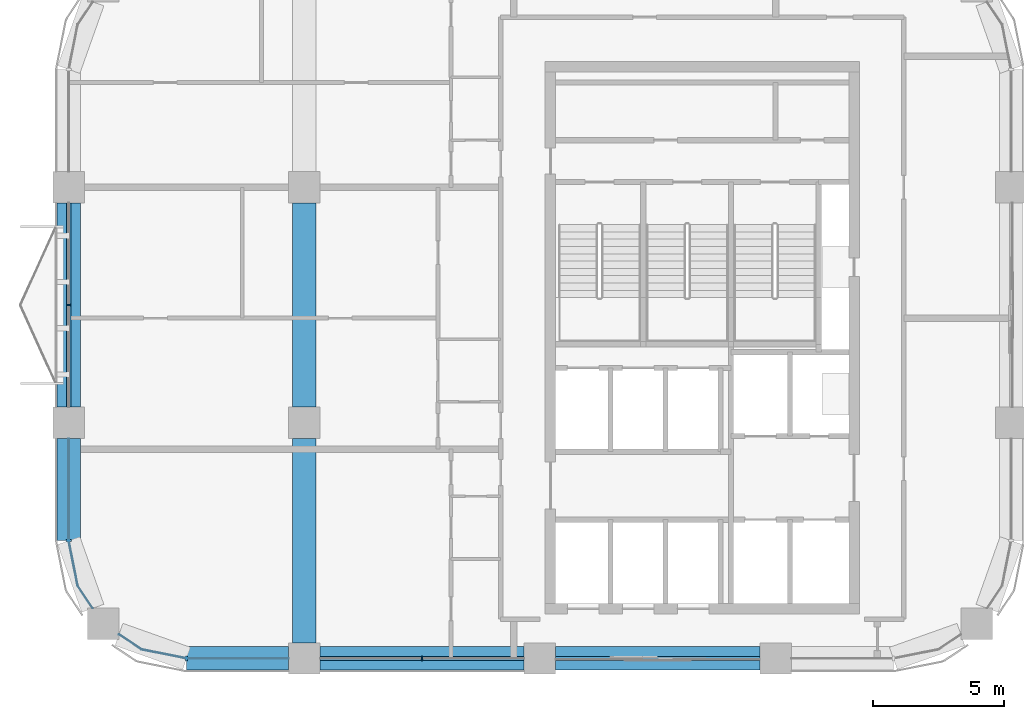
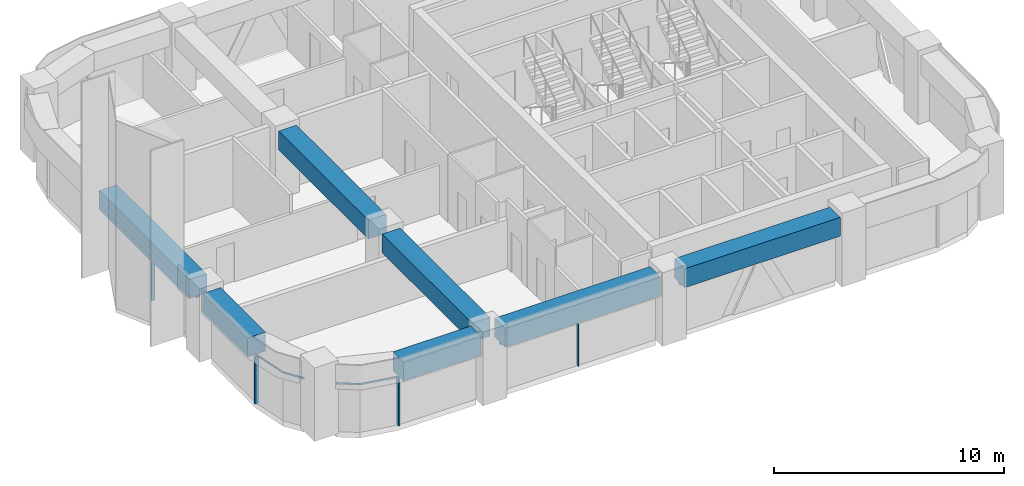
# One storey, part 2 of 10: 9 members, 7 beams, 5 elements without a shape of their own.
"""IFC4 building model written with IfcOpenShell, lengths in metres."""

from ifc_helpers import new_model, si_unit, direction, frame, origin, origin_2d, place, context, subcontext, project, spatial, polyline, rectangle, outline, extrude, material, material_profile, profile_set, type_object, element, aggregate, save


model = new_model("IFC4")

# Units and contexts
model_context = context("Model", 3, precision=1e-05, world=origin(), true_north=direction((0.0, 1.0)))
body_context = subcontext(model_context, "Body", "Model", "MODEL_VIEW")
ifc_project = project(units=[si_unit("LENGTHUNIT", "METRE"), si_unit("AREAUNIT", "SQUARE_METRE"), si_unit("VOLUMEUNIT", "CUBIC_METRE"), si_unit("PLANEANGLEUNIT", "RADIAN"), si_unit("MASSUNIT", "GRAM", prefix="KILO")], contexts=[model_context])

# Site, building, storey
site_placement = place(None, origin())
site = spatial("IfcSite", under=ifc_project, at=site_placement, CompositionType="ELEMENT")
building_placement = place(site_placement, origin())
building = spatial("IfcBuilding", under=site, at=building_placement, Name="Tessera Arch", CompositionType="ELEMENT")
storey_placement = place(building_placement, frame((0.0, 0.0, 238.39990234375)))
storey = spatial("IfcBuildingStorey", under=building, at=storey_placement, Name="L57", CompositionType="ELEMENT", Elevation=238.39990234375)

# Curtain wall, member
ifc_material_1 = material(Name="CW1 curtain wall")
curtain_wall_type_1 = type_object("IfcCurtainWallType", Name="CW1 curtain wall", PredefinedType="NOTDEFINED", material=ifc_material_1)
curtain_wall_1_placement = place(storey_placement, origin())
curtain_wall_1 = element("IfcCurtainWall", 1, at=curtain_wall_1_placement, inside=storey, type_object=curtain_wall_type_1, Name="CW1 curtain wall W18.27/1 L57", PredefinedType="NOTDEFINED")
ifc_material_2 = material(Name="Anodised aluminium pale metal", Category="aluminium")
ifc_material_profile_1 = material_profile(ifc_material_2, rectangle(XDim=0.159912109375, YDim=0.06005859375, at=origin_2d()), Name="AL 60x160")
ifc_profile_set_1 = profile_set([ifc_material_profile_1], Name="Anodised aluminium pale metal")
member_type_1 = type_object("IfcMemberType", Name="CW1 mullion", PredefinedType="MULLION", material=ifc_profile_set_1)
member_1_placement = place(storey_placement, frame((18.0, 40.5, 0.0), z_axis=(0.0, 0.0, 1.0), x_axis=(1.0, 0.0, 0.0)))
member_1 = element("IfcMember", 2, at=member_1_placement, type_object=member_type_1, Name="CW1 mullion W18.27/1 1", PredefinedType="MULLION", context=body_context, shape_type="SweptSolid", body=[
    extrude(rectangle(XDim=0.159912109375, YDim=0.06005859375, at=origin_2d()), origin(), (0.0, 0.0, 1.0), 2.5),
])

curtain_wall_2_placement = place(storey_placement, origin())
curtain_wall_2 = element("IfcCurtainWall", 3, at=curtain_wall_2_placement, inside=storey, type_object=curtain_wall_type_1, Name="CW1 curtain wall S27.18/1 L57", PredefinedType="NOTDEFINED")
member_2_placement = place(storey_placement, frame((31.5, 27.0, 0.0), z_axis=(0.0, 0.0, 1.0), x_axis=(0.0, 1.0, 0.0)))
member_2 = element("IfcMember", 4, at=member_2_placement, type_object=member_type_1, Name="CW1 mullion S27.18/1 1", PredefinedType="MULLION", context=body_context, shape_type="SweptSolid", body=[
    extrude(rectangle(XDim=0.159912109375, YDim=0.06005859375, at=origin_2d()), origin(), (0.0, 0.0, 1.0), 2.5),
])

# Member
ifc_material_3 = material(Name="Anodised aluminium pale metal", Category="aluminium")
ifc_material_profile_2 = material_profile(ifc_material_3, rectangle(XDim=0.159912109375, YDim=0.10009765625, at=origin_2d()), Name="AL 160x100")
ifc_profile_set_2 = profile_set([ifc_material_profile_2], Name="Anodised aluminium pale metal")
member_type_2 = type_object("IfcMemberType", Name="CW1 transom", PredefinedType="USERDEFINED", material=ifc_profile_set_2)
member_3_placement = place(storey_placement, frame((18.0, 44.39990234375, 2.550048828125), z_axis=(0.0, -1.0, 0.0), x_axis=(1.0, 0.0, 0.0)))
member_3 = element("IfcMember", 5, at=member_3_placement, type_object=member_type_2, Name="CW1 transom W18.27/1 1.1", ObjectType="TRANSOM", PredefinedType="USERDEFINED", context=body_context, shape_type="SweptSolid", body=[
    extrude(rectangle(XDim=0.159912109375, YDim=0.10009765625, at=origin_2d()), origin(), (0.0, 0.0, 1.0), 7.7998046875),
])

aggregate(curtain_wall_1, [member_1, member_3])

member_4_placement = place(storey_placement, frame((27.60009765625, 27.0, 2.550048828125), z_axis=(1.0, 0.0, 0.0), x_axis=(0.0, 1.0, 0.0)))
member_4 = element("IfcMember", 6, at=member_4_placement, type_object=member_type_2, Name="CW1 transom S27.18/1 1.1", ObjectType="TRANSOM", PredefinedType="USERDEFINED", context=body_context, shape_type="SweptSolid", body=[
    extrude(rectangle(XDim=0.159912109375, YDim=0.10009765625, at=origin_2d()), origin(), (0.0, 0.0, 1.0), 7.7998046875),
])

aggregate(curtain_wall_2, [member_2, member_4])

# Curtain wall, member
ifc_material_4 = material(Name="CW2 curtain wall")
curtain_wall_type_2 = type_object("IfcCurtainWallType", Name="CW2 curtain wall", PredefinedType="NOTDEFINED", material=ifc_material_4)
curtain_wall_3_placement = place(storey_placement, origin())
curtain_wall_3 = element("IfcCurtainWall", 7, at=curtain_wall_3_placement, inside=storey, type_object=curtain_wall_type_2, Name="CW2 curtain wall W18.27/2 L57", PredefinedType="NOTDEFINED")
ifc_material_5 = material(Name="Anodised aluminium pale metal", Category="aluminium")
ifc_material_profile_3 = material_profile(ifc_material_5, rectangle(XDim=0.199951171875, YDim=0.080078125, at=origin_2d()), Name="AL 80x200")
ifc_profile_set_3 = profile_set([ifc_material_profile_3], Name="Anodised aluminium pale metal")
member_type_3 = type_object("IfcMemberType", Name="CW2 mullion", PredefinedType="MULLION", material=ifc_profile_set_3)
member_5_placement = place(storey_placement, frame((18.0, 31.5, 0.0), z_axis=(0.0, 0.0, 1.0), x_axis=(1.0, 0.0, 0.0)))
member_5 = element("IfcMember", 8, at=member_5_placement, type_object=member_type_3, Name="CW2 mullion W18.27/2 1", PredefinedType="MULLION", context=body_context, shape_type="SweptSolid", body=[
    extrude(rectangle(XDim=0.199951171875, YDim=0.080078125, at=origin_2d()), origin(), (0.0, 0.0, 1.0), 2.5),
])

curtain_wall_4_placement = place(storey_placement, origin())
curtain_wall_4 = element("IfcCurtainWall", 9, at=curtain_wall_4_placement, inside=storey, type_object=curtain_wall_type_2, Name="CW2 curtain wall S27.18/0 L57", PredefinedType="NOTDEFINED")
member_6_placement = place(storey_placement, frame((22.5, 27.0, 0.0), z_axis=(0.0, 0.0, 1.0), x_axis=(0.0, 1.0, 0.0)))
member_6 = element("IfcMember", 10, at=member_6_placement, type_object=member_type_3, Name="CW2 mullion S27.18/0 1", PredefinedType="MULLION", context=body_context, shape_type="SweptSolid", body=[
    extrude(rectangle(XDim=0.199951171875, YDim=0.080078125, at=origin_2d()), origin(), (0.0, 0.0, 1.0), 2.5),
])

# Member
ifc_material_6 = material(Name="Anodised aluminium pale metal", Category="aluminium")
ifc_material_profile_4 = material_profile(ifc_material_6, rectangle(XDim=0.199951171875, YDim=0.10009765625, at=origin_2d()), Name="AL 200x100")
ifc_profile_set_4 = profile_set([ifc_material_profile_4], Name="Anodised aluminium pale metal")
member_type_4 = type_object("IfcMemberType", Name="CW2 transom", PredefinedType="USERDEFINED", material=ifc_profile_set_4)
member_7_placement = place(storey_placement, frame((0.0, 0.0, 2.5)))
member_7 = element("IfcMember", 11, at=member_7_placement, type_object=member_type_4, Name="CW2 transom W18.27/2 1", ObjectType="TRANSOM", PredefinedType="USERDEFINED", context=body_context, shape_type="SweptSolid", body=[
    extrude(outline(polyline([(18.010009765625, 31.5009765625), (18.010009765625, 35.39990234375), (17.989990234375, 35.39990234375), (17.989990234375, 31.4990234375), (18.3330078125, 29.77392578125), (18.90869140625, 28.912353515625), (18.92529296875, 28.923583984375), (18.351806640625, 29.78173828125), (18.010009765625, 31.5009765625)])), origin(), (0.0, 0.0, 1.0), 0.10009765625),
])

aggregate(curtain_wall_3, [member_5, member_7])

member_8_placement = place(storey_placement, frame((0.0, 0.0, 2.5)))
member_8 = element("IfcMember", 12, at=member_8_placement, type_object=member_type_4, Name="CW2 transom S27.18/0 1", ObjectType="TRANSOM", PredefinedType="USERDEFINED", context=body_context, shape_type="SweptSolid", body=[
    extrude(outline(polyline([(20.78173828125, 27.351806640625), (19.923583984375, 27.92529296875), (19.912353515625, 27.90869140625), (20.77392578125, 27.3330078125), (22.4990234375, 26.989990234375), (26.39990234375, 26.989990234375), (26.39990234375, 27.010009765625), (22.5009765625, 27.010009765625), (20.78173828125, 27.351806640625)])), origin(), (0.0, 0.0, 1.0), 0.10009765625),
])

aggregate(curtain_wall_4, [member_6, member_8])

# Curtain wall, member
ifc_material_7 = material(Name="CW3 curtain wall")
curtain_wall_type_3 = type_object("IfcCurtainWallType", Name="CW3 curtain wall", PredefinedType="NOTDEFINED", material=ifc_material_7)
curtain_wall_5_placement = place(storey_placement, origin())
curtain_wall_5 = element("IfcCurtainWall", 13, at=curtain_wall_5_placement, inside=storey, type_object=curtain_wall_type_3, Name="CW3 curtain wall S27.18/2 L57", PredefinedType="NOTDEFINED")
ifc_material_8 = material(Name="Anodised aluminium pale metal", Category="aluminium")
ifc_material_profile_5 = material_profile(ifc_material_8, rectangle(XDim=0.139892578125, YDim=0.10009765625, at=origin_2d()), Name="AL 140x100")
ifc_profile_set_5 = profile_set([ifc_material_profile_5], Name="Anodised aluminium pale metal")
member_type_5 = type_object("IfcMemberType", Name="CW3 transom", PredefinedType="USERDEFINED", material=ifc_profile_set_5)
member_9_placement = place(storey_placement, frame((36.60009765625, 27.0, 2.550048828125), z_axis=(1.0, 0.0, 0.0), x_axis=(0.0, 1.0, 0.0)))
member_9 = element("IfcMember", 14, at=member_9_placement, type_object=member_type_5, Name="CW3 transom S27.18/2 1.1", ObjectType="TRANSOM", PredefinedType="USERDEFINED", context=body_context, shape_type="SweptSolid", body=[
    extrude(rectangle(XDim=0.139892578125, YDim=0.10009765625, at=origin_2d()), origin(), (0.0, 0.0, 1.0), 7.7998046875),
])
aggregate(curtain_wall_5, [member_9])

# Beams
ifc_material_9 = material(Name="Concrete C60/75", Category="concrete")
ifc_material_profile_6 = material_profile(ifc_material_9, rectangle(XDim=0.89990234375, YDim=1.0, at=origin_2d()), Name="RC spandrel beam 900 x 1000 Concrete C60/75")
ifc_profile_set_6 = profile_set([ifc_material_profile_6], Name="Concrete C60/75")
beam_type = type_object("IfcBeamType", Name="RC spandrel beam 900 x 1000 Concrete C60/75", PredefinedType="BEAM", material=ifc_profile_set_6)
beam_placement = place(storey_placement, frame((18.0, 44.39990234375, 3.10009765625), z_axis=(0.0, -1.0, 0.0), x_axis=(1.0, 0.0, 0.0)))
element("IfcBeam", 15, at=beam_placement, inside=storey, type_object=beam_type, Name="Spandrel beam L57 W18.27/1", PredefinedType="BEAM", context=body_context, shape_type="SweptSolid", body=[
    extrude(rectangle(XDim=0.89990234375, YDim=1.0, at=origin_2d()), origin(), (0.0, 0.0, 1.0), 7.7998046875),
])
for number, where, z_axis, x_axis, name in (
    (16, (18.0, 35.39990234375, 3.10009765625), (0.0, -1.0, 0.0), (1.0, 0.0, 0.0), "Spandrel beam L57 W18.27/2.1"),
    (17, (22.5, 27.0, 3.10009765625), (1.0, 0.0, 0.0), (0.0, 1.0, 0.0), "Spandrel beam L57 S27.18/0.2"),
):
    element("IfcBeam", number, at=place(storey_placement, frame(where, z_axis=z_axis, x_axis=x_axis)), inside=storey, type_object=beam_type, Name=name, PredefinedType="BEAM", context=body_context, shape_type="SweptSolid", body=[
        extrude(rectangle(XDim=0.89990234375, YDim=1.0, at=origin_2d()), origin(), (0.0, 0.0, 1.0), 3.89990234375),
    ])
for number, where, z_axis, x_axis, name in (
    (18, (27.60009765625, 27.0, 3.10009765625), (1.0, 0.0, 0.0), (0.0, 1.0, 0.0), "Spandrel beam L57 S27.18/1"),
    (19, (36.60009765625, 27.0, 3.10009765625), (1.0, 0.0, 0.0), (0.0, 1.0, 0.0), "Spandrel beam L57 S27.18/2"),
    (20, (27.0, 27.60009765625, 3.10009765625), (0.0, 1.0, 0.0), (-1.0, 0.0, 0.0), "Interface beam L57 I0C4D-C4E"),
    (21, (27.0, 36.60009765625, 3.10009765625), (0.0, 1.0, 0.0), (-1.0, 0.0, 0.0), "Interface beam L57 I0C4E-C4F"),
):
    element("IfcBeam", number, at=place(storey_placement, frame(where, z_axis=z_axis, x_axis=x_axis)), inside=storey, type_object=beam_type, Name=name, PredefinedType="BEAM", context=body_context, shape_type="SweptSolid", body=[
        extrude(rectangle(XDim=0.89990234375, YDim=1.0, at=origin_2d()), origin(), (0.0, 0.0, 1.0), 7.7998046875),
    ])

save(model, "model.ifc")
